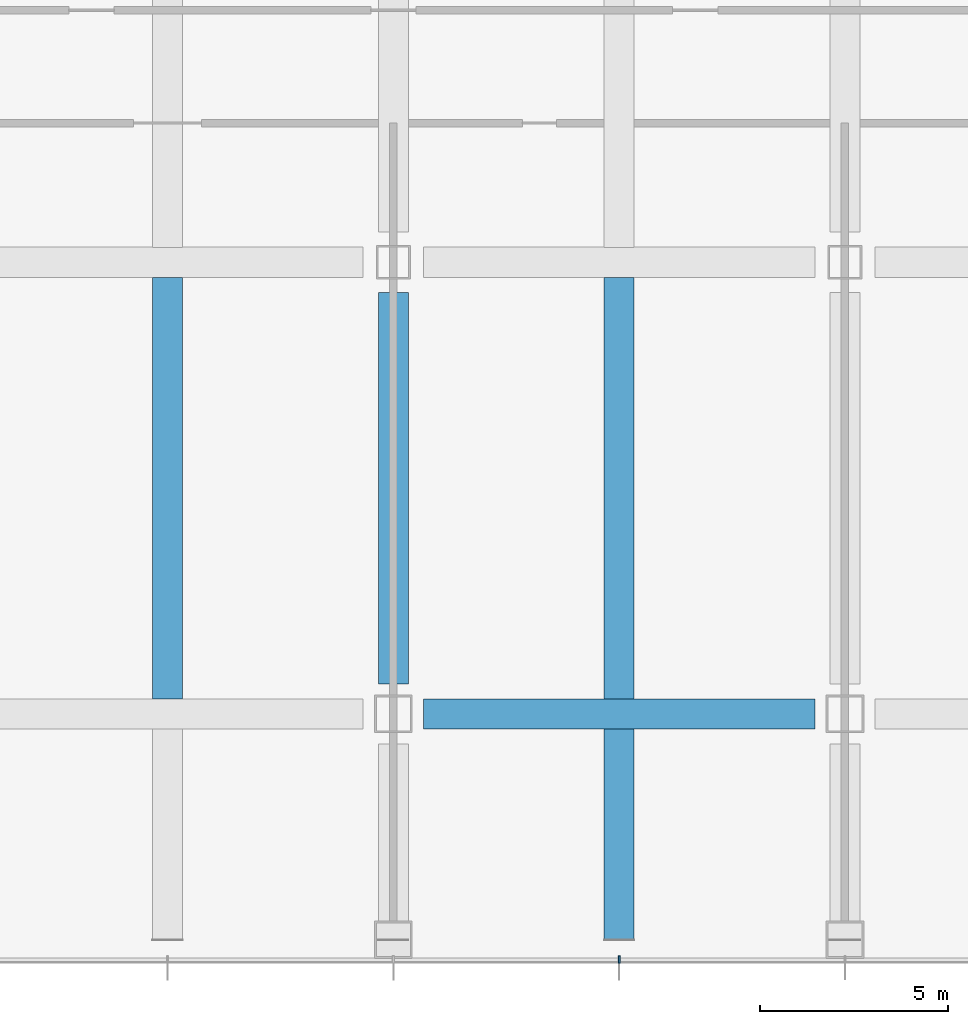
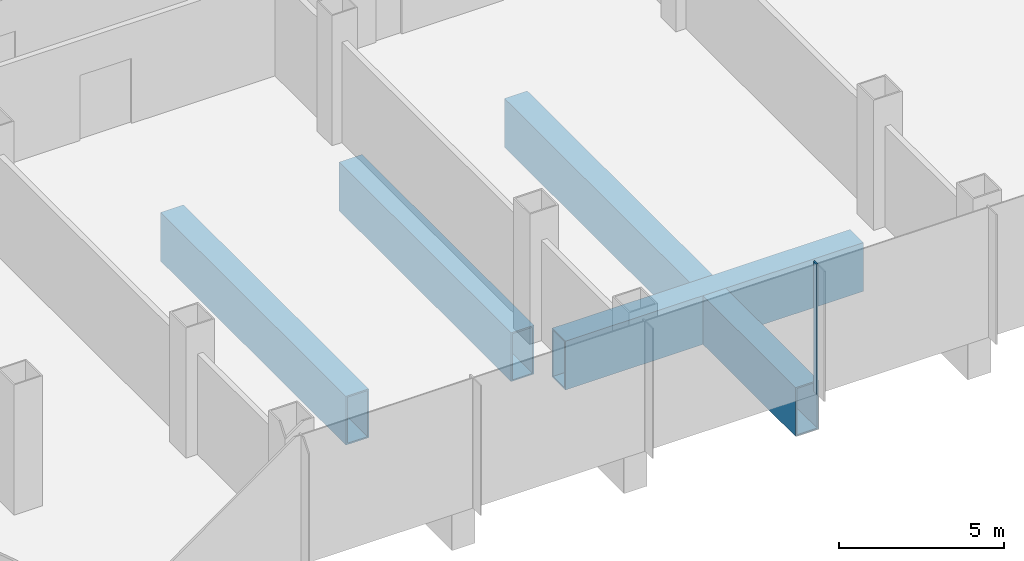
# One storey, part 3 of 34: 5 beams, 1 member, 1 element without a shape of its own.
"""IFC4 building model written with IfcOpenShell, lengths in metres."""

from ifc_helpers import new_model, si_unit, direction, frame, origin, origin_2d, place, context, subcontext, project, spatial, rectangle, hollow_rectangle, extrude, material, material_profile, profile_set, type_object, element, aggregate, save


model = new_model("IFC4")

# Units and contexts
model_context = context("Model", 3, precision=1e-05, world=origin(), true_north=direction((0.0, 1.0)))
body_context = subcontext(model_context, "Body", "Model", "MODEL_VIEW")
ifc_project = project(units=[si_unit("LENGTHUNIT", "METRE"), si_unit("AREAUNIT", "SQUARE_METRE"), si_unit("VOLUMEUNIT", "CUBIC_METRE"), si_unit("PLANEANGLEUNIT", "RADIAN"), si_unit("MASSUNIT", "GRAM", prefix="KILO")], contexts=[model_context])

# Site, building, storey
site_placement = place(None, origin())
site = spatial("IfcSite", under=ifc_project, at=site_placement, CompositionType="ELEMENT")
building_placement = place(site_placement, origin())
building = spatial("IfcBuilding", under=site, at=building_placement, Name="Sorahane Residences", CompositionType="ELEMENT")
storey_placement = place(building_placement, frame((0.0, 0.0, 20.39990234375)))
storey = spatial("IfcBuildingStorey", under=building, at=storey_placement, Name="L02", CompositionType="ELEMENT", Elevation=20.39990234375)

# Curtain wall, member
ifc_material_1 = material(Name="Dark low-e glass and black anodised aluminium", Category="aluminium")
curtain_wall_type = type_object("IfcCurtainWallType", Name="Curtain wall CW-3 Podium unitised wall", PredefinedType="NOTDEFINED", material=ifc_material_1)
curtain_wall_placement = place(storey_placement, origin())
curtain_wall = element("IfcCurtainWall", 1, at=curtain_wall_placement, inside=storey, type_object=curtain_wall_type, Name="CW-3 curtain wall L02 S1", PredefinedType="NOTDEFINED")
ifc_material_2 = material(Name="Black anodised aluminium", Category="aluminium")
ifc_material_profile_1 = material_profile(ifc_material_2, rectangle(XDim=0.199951171875, YDim=0.050048828125, at=origin_2d()), Name="Curtain wall mullion CW-3 black anodised aluminium 50x200")
ifc_profile_set_1 = profile_set([ifc_material_profile_1], Name="Black anodised aluminium")
member_type = type_object("IfcMemberType", Name="Curtain wall mullion CW-3 black anodised aluminium 50x200", PredefinedType="MULLION", material=ifc_profile_set_1)
member_placement = place(storey_placement, frame((30.0, -6.52001953125, -0.39990234375), z_axis=(0.0, 0.0, 1.0), x_axis=(0.0, -1.0, 0.0)))
member = element("IfcMember", 2, at=member_placement, type_object=member_type, Name="CW-3 mullion L02 S1.5", PredefinedType="MULLION", context=body_context, shape_type="SweptSolid", body=[
    extrude(rectangle(XDim=0.199951171875, YDim=0.050048828125, at=origin_2d()), origin(), (0.0, 0.0, 1.0), 4.800048828125),
])
aggregate(curtain_wall, [member])

# Beams
ifc_material_3 = material(Name="Steel Q420GJ", Category="steel")
ifc_material_profile_2 = material_profile(ifc_material_3, hollow_rectangle(XDim=0.800048828125, YDim=1.800048828125, WallThickness=0.050048828125, at=origin_2d()), Name="BOX 1800x800x50")
ifc_profile_set_2 = profile_set([ifc_material_profile_2], Name="Steel Q420GJ")
beam_type = type_object("IfcBeamType", Name="Steel transfer girder BOX 1800x800x50 Q420GJ", PredefinedType="BEAM", material=ifc_profile_set_2)
for number, where, z_axis, x_axis, name in (
    (3, (24.800048828125, 0.0, -1.2998046875), (1.0, 0.0, 0.0), (0.0, 1.0, 0.0), "Beam L02 002"),
    (4, (24.0, 0.800048828125, -1.2998046875), (0.0, 1.0, 0.0), (-1.0, 0.0, 0.0), "Beam L02 038"),
):
    element("IfcBeam", number, at=place(storey_placement, frame(where, z_axis=z_axis, x_axis=x_axis)), inside=storey, type_object=beam_type, Name=name, PredefinedType="BEAM", context=body_context, shape_type="SweptSolid", body=[
        extrude(hollow_rectangle(XDim=0.800048828125, YDim=1.800048828125, WallThickness=0.050048828125, at=origin_2d()), origin(), (0.0, 0.0, 1.0), 10.39990234375),
    ])
for number, where, z_axis, x_axis, name in (
    (5, (18.0, 0.39990234375, -1.2998046875), (0.0, 1.0, 0.0), (-1.0, 0.0, 0.0), "Beam L02 061"),
    (6, (30.0, 0.39990234375, -1.2998046875), (0.0, 1.0, 0.0), (-1.0, 0.0, 0.0), "Beam L02 067"),
):
    element("IfcBeam", number, at=place(storey_placement, frame(where, z_axis=z_axis, x_axis=x_axis)), inside=storey, type_object=beam_type, Name=name, PredefinedType="BEAM", context=body_context, shape_type="SweptSolid", body=[
        extrude(hollow_rectangle(XDim=0.800048828125, YDim=1.800048828125, WallThickness=0.050048828125, at=origin_2d()), origin(), (0.0, 0.0, 1.0), 11.2001953125),
    ])
beam_placement = place(storey_placement, frame((30.0, -6.0, -1.2998046875), z_axis=(0.0, 1.0, 0.0), x_axis=(-1.0, 0.0, 0.0)))
element("IfcBeam", 7, at=beam_placement, inside=storey, type_object=beam_type, Name="Beam L02 072", PredefinedType="BEAM", context=body_context, shape_type="SweptSolid", body=[
    extrude(hollow_rectangle(XDim=0.800048828125, YDim=1.800048828125, WallThickness=0.050048828125, at=origin_2d()), origin(), (0.0, 0.0, 1.0), 5.60009765625),
])

save(model, "model.ifc")
